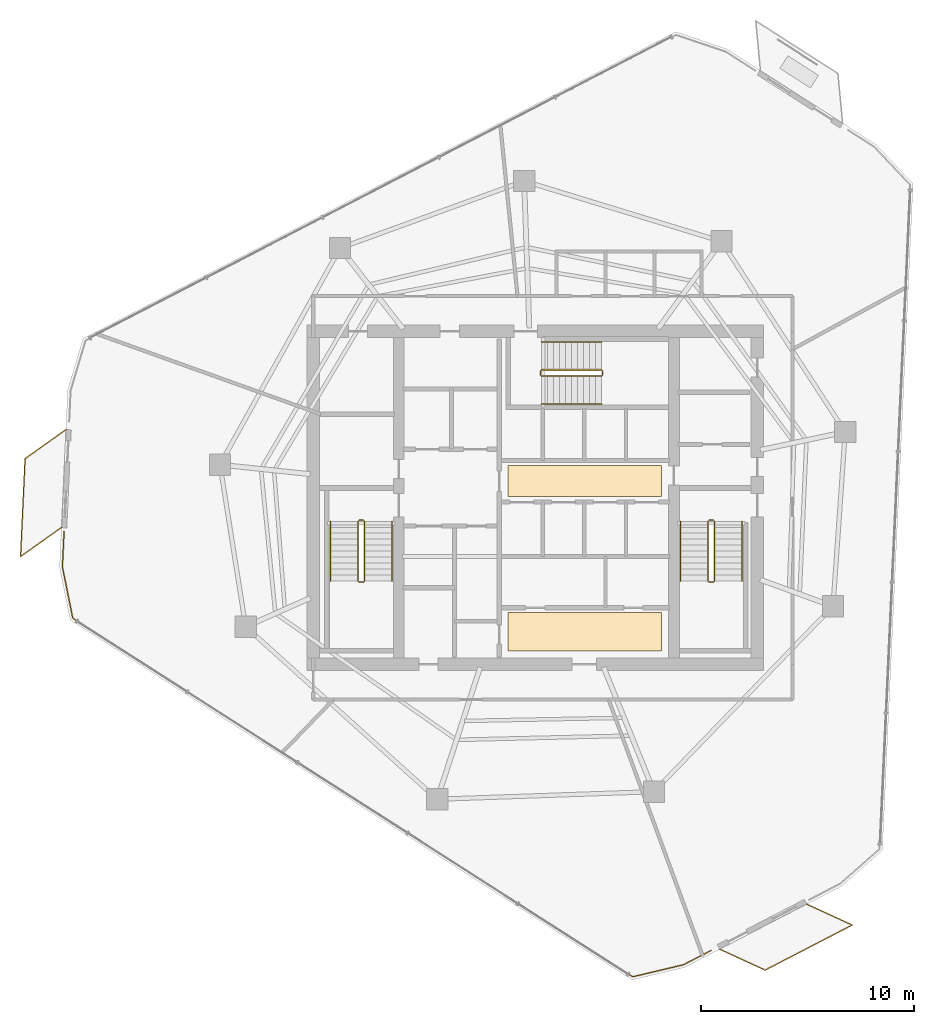
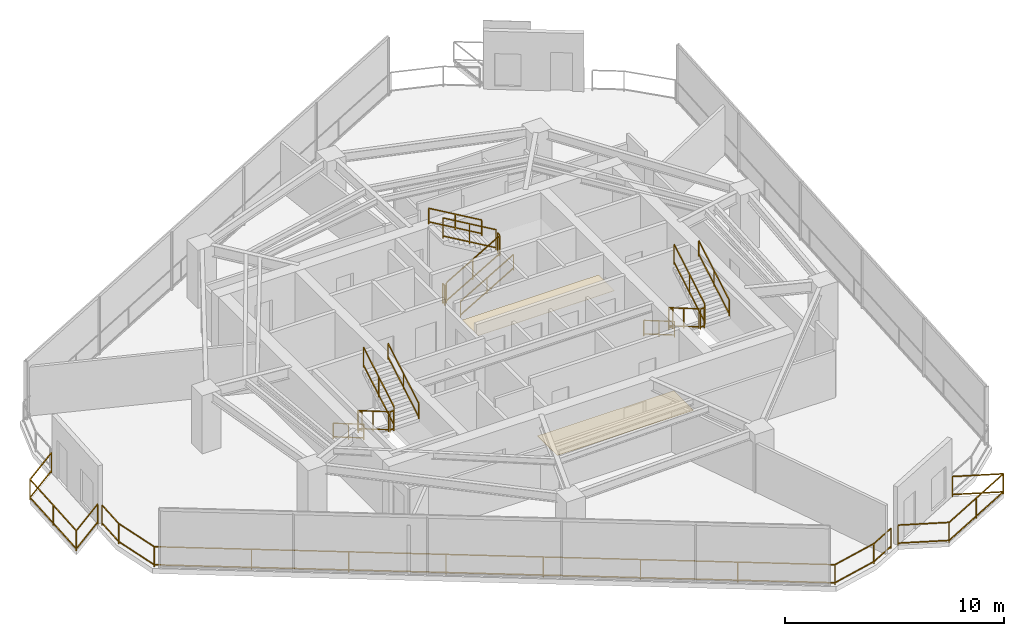
# One storey, part 19 of 20: 21 railings, 2 coverings.
"""IFC4 building model written with IfcOpenShell, lengths in metres."""

from ifc_helpers import new_model, si_unit, direction, frame, origin, origin_2d, place, context, subcontext, project, spatial, rectangle, extrude, material, layer, layer_set, type_object, element, save


model = new_model("IFC4")

# Units and contexts
model_context = context("Model", 3, precision=1e-05, world=origin(), true_north=direction((0.0, 1.0)))
body_context = subcontext(model_context, "Body", "Model", "MODEL_VIEW")
ifc_project = project(units=[si_unit("LENGTHUNIT", "METRE"), si_unit("AREAUNIT", "SQUARE_METRE"), si_unit("VOLUMEUNIT", "CUBIC_METRE"), si_unit("PLANEANGLEUNIT", "RADIAN"), si_unit("MASSUNIT", "GRAM", prefix="KILO")], contexts=[model_context])

# Site, building, storey
site_placement = place(None, origin())
site = spatial("IfcSite", under=ifc_project, at=site_placement, CompositionType="ELEMENT")
building_placement = place(site_placement, origin())
building = spatial("IfcBuilding", under=site, at=building_placement, Name="Qarnah Convention Tower", CompositionType="ELEMENT")
storey_placement = place(building_placement, frame((0.0, 0.0, 168.89990234375)))
storey = spatial("IfcBuildingStorey", under=building, at=storey_placement, Name="L45", CompositionType="ELEMENT", Elevation=168.89990234375)

# Coverings
ifc_material_1 = material(Name="Mineral fibre acoustic ceiling")
ifc_layer_1 = layer(ifc_material_1, 0.02001953125)
ifc_layer_set_1 = layer_set([ifc_layer_1], Name="Mineral fibre acoustic ceiling")
covering_type_1 = type_object("IfcCoveringType", Name="COV-CEIL-20", PredefinedType="CEILING", material=ifc_layer_set_1)
covering_1_placement = place(storey_placement, frame((39.52001953125, 27.179931640625, 2.2900390625), z_axis=(0.0, 0.0, 1.0), x_axis=(1.0, 0.0, 0.0)))
element("IfcCovering", 1, at=covering_1_placement, inside=storey, type_object=covering_type_1, Name="L45 lift lobby acoustic ceiling", PredefinedType="CEILING", context=body_context, shape_type="SweptSolid", body=[
    extrude(rectangle(XDim=7.199951171875, YDim=1.449951171875, at=origin_2d()), origin(), (0.0, 0.0, 1.0), 0.02001953125),
])
ifc_material_2 = material(Name="Porcelain stone floor tile", Category="masonry")
ifc_layer_2 = layer(ifc_material_2, 0.02001953125)
ifc_layer_set_2 = layer_set([ifc_layer_2], Name="Porcelain stone floor tile")
covering_type_2 = type_object("IfcCoveringType", Name="COV-FLOOR-20", PredefinedType="FLOORING", material=ifc_layer_set_2)
covering_2_placement = place(storey_placement, frame((39.52001953125, 20.1201171875, 0.0), z_axis=(0.0, 0.0, 1.0), x_axis=(1.0, 0.0, 0.0)))
element("IfcCovering", 2, at=covering_2_placement, inside=storey, type_object=covering_type_2, Name="L45 lift lobby porcelain stone flooring", PredefinedType="FLOORING", context=body_context, shape_type="SweptSolid", body=[
    extrude(rectangle(XDim=7.199951171875, YDim=1.800048828125, at=origin_2d()), origin(), (0.0, 0.0, 1.0), 0.02001953125),
])

# Railings
ifc_material_3 = material(Name="Black anodised aluminium", Category="aluminium")
railing_type_1 = type_object("IfcRailingType", Name="RL-EXT-GUARD-1150", PredefinedType="GUARDRAIL", material=ifc_material_3)
railing_1_placement = place(storey_placement, frame((45.43798828125, 5.18994140625, 0.0)))
element("IfcRailing", 3, at=railing_1_placement, inside=storey, type_object=railing_type_1, Name="L45 slab-edge perimeter safety guard 03", PredefinedType="GUARDRAIL", context=body_context, shape_type="SweptSolid", body=[
    extrude(rectangle(XDim=0.048095703125, YDim=0.048095703125, at=origin_2d()), frame((0.0, 0.0, 1.1259765625), z_axis=(-0.888018917367, -0.459806918606, 0.0), x_axis=(0.459806918606, -0.888018917367, 0.0)), (0.0, 0.0, 1.0), 1.45263671875),
    extrude(rectangle(XDim=0.048095703125, YDim=0.048095703125, at=origin_2d()), frame((0.0, 0.0, 0.1201171875), z_axis=(-0.888018917367, -0.459806918606, 0.0), x_axis=(0.459806918606, -0.888018917367, 0.0)), (0.0, 0.0, 1.0), 1.45263671875),
    extrude(rectangle(XDim=0.048095703125, YDim=0.048095703125, at=origin_2d()), frame((-1.2900390625, -0.66796875, 1.1259765625), z_axis=(-0.972962350077, -0.230963774936, 0.0), x_axis=(0.230963774936, -0.972962350077, 0.0)), (0.0, 0.0, 1.0), 2.446044921875),
    extrude(rectangle(XDim=0.048095703125, YDim=0.048095703125, at=origin_2d()), frame((-1.2900390625, -0.66796875, 0.1201171875), z_axis=(-0.972962350077, -0.230963774936, 0.0), x_axis=(0.230963774936, -0.972962350077, 0.0)), (0.0, 0.0, 1.0), 2.446044921875),
    extrude(rectangle(XDim=0.048095703125, YDim=0.048095703125, at=origin_2d()), frame((-3.669921875, -1.23291015625, 1.1259765625), z_axis=(-0.842064572304, 0.539376729263, 0.0), x_axis=(-0.539376729263, -0.842064572304, 0.0)), (0.0, 0.0, 1.0), 31.157958984375),
    extrude(rectangle(XDim=0.048095703125, YDim=0.048095703125, at=origin_2d()), frame((-3.669921875, -1.23291015625, 0.1201171875), z_axis=(-0.842064572304, 0.539376729263, 0.0), x_axis=(-0.539376729263, -0.842064572304, 0.0)), (0.0, 0.0, 1.0), 31.157958984375),
    extrude(rectangle(XDim=0.048095703125, YDim=0.048095703125, at=origin_2d()), frame((-29.906982421875, 15.572998046875, 1.1259765625), z_axis=(-0.197037430045, 0.980395966516, 0.0), x_axis=(-0.980395966516, -0.197037430045, 0.0)), (0.0, 0.0, 1.0), 2.44580078125),
    extrude(rectangle(XDim=0.048095703125, YDim=0.048095703125, at=origin_2d()), frame((-29.906982421875, 15.572998046875, 0.1201171875), z_axis=(-0.197037430045, 0.980395966516, 0.0), x_axis=(-0.980395966516, -0.197037430045, 0.0)), (0.0, 0.0, 1.0), 2.44580078125),
    extrude(rectangle(XDim=0.048095703125, YDim=0.048095703125, at=origin_2d()), frame((-30.388916015625, 17.970947265625, 1.1259765625), z_axis=(0.045633961362, 0.998958228141, 0.0), x_axis=(-0.998958228141, 0.045633961362, 0.0)), (0.0, 0.0, 1.0), 1.663818359375),
    extrude(rectangle(XDim=0.048095703125, YDim=0.048095703125, at=origin_2d()), frame((-30.388916015625, 17.970947265625, 0.1201171875), z_axis=(0.045633961362, 0.998958228141, 0.0), x_axis=(-0.998958228141, 0.045633961362, 0.0)), (0.0, 0.0, 1.0), 1.663818359375),
    extrude(rectangle(XDim=0.0419921875, YDim=0.0419921875, at=origin_2d()), origin(), (0.0, 0.0, 1.0), 1.101806640625),
    extrude(rectangle(XDim=0.0419921875, YDim=0.0419921875, at=origin_2d()), frame((-1.2900390625, -0.66796875, 0.0)), (0.0, 0.0, 1.0), 1.101806640625),
    extrude(rectangle(XDim=0.0419921875, YDim=0.0419921875, at=origin_2d()), frame((-3.669921875, -1.23291015625, 0.0)), (0.0, 0.0, 1.0), 1.101806640625),
    extrude(rectangle(XDim=0.0419921875, YDim=0.0419921875, at=origin_2d()), frame((-7.41796875, 1.16796875, 0.0)), (0.0, 0.0, 1.0), 1.101806640625),
    extrude(rectangle(XDim=0.0419921875, YDim=0.0419921875, at=origin_2d()), frame((-11.166259765625, 3.56884765625, 0.0)), (0.0, 0.0, 1.0), 1.101806640625),
    extrude(rectangle(XDim=0.0419921875, YDim=0.0419921875, at=origin_2d()), frame((-14.914306640625, 5.9697265625, 0.0)), (0.0, 0.0, 1.0), 1.101806640625),
    extrude(rectangle(XDim=0.0419921875, YDim=0.0419921875, at=origin_2d()), frame((-18.66259765625, 8.370361328125, 0.0)), (0.0, 0.0, 1.0), 1.101806640625),
    extrude(rectangle(XDim=0.0419921875, YDim=0.0419921875, at=origin_2d()), frame((-22.41064453125, 10.771240234375, 0.0)), (0.0, 0.0, 1.0), 1.101806640625),
    extrude(rectangle(XDim=0.0419921875, YDim=0.0419921875, at=origin_2d()), frame((-26.158935546875, 13.172119140625, 0.0)), (0.0, 0.0, 1.0), 1.101806640625),
    extrude(rectangle(XDim=0.0419921875, YDim=0.0419921875, at=origin_2d()), frame((-29.906982421875, 15.572998046875, 0.0)), (0.0, 0.0, 1.0), 1.101806640625),
    extrude(rectangle(XDim=0.0419921875, YDim=0.0419921875, at=origin_2d()), frame((-30.388916015625, 17.970947265625, 0.0)), (0.0, 0.0, 1.0), 1.101806640625),
    extrude(rectangle(XDim=0.0419921875, YDim=0.0419921875, at=origin_2d()), frame((-30.31298828125, 19.633056640625, 0.0)), (0.0, 0.0, 1.0), 1.101806640625),
])
railing_2_placement = place(storey_placement, frame((14.998046875, 25.001953125, 0.0)))
element("IfcRailing", 4, at=railing_2_placement, inside=storey, type_object=railing_type_1, Name="L45 balcony safety guard BAL-L45-C2", PredefinedType="GUARDRAIL", context=body_context, shape_type="SweptSolid", body=[
    extrude(rectangle(XDim=0.048095703125, YDim=0.048095703125, at=origin_2d()), frame((0.0, 0.0, 1.1259765625), z_axis=(-0.81540262217, -0.578894259566, 0.0), x_axis=(0.578894259566, -0.81540262217, 0.0)), (0.0, 0.0, 1.0), 2.347412109375),
    extrude(rectangle(XDim=0.048095703125, YDim=0.048095703125, at=origin_2d()), frame((0.0, 0.0, 0.1201171875), z_axis=(-0.81540262217, -0.578894259566, 0.0), x_axis=(0.578894259566, -0.81540262217, 0.0)), (0.0, 0.0, 1.0), 2.347412109375),
    extrude(rectangle(XDim=0.048095703125, YDim=0.048095703125, at=origin_2d()), frame((-1.9140625, -1.35888671875, 1.1259765625), z_axis=(0.046069729581, 0.998938226326, 0.0), x_axis=(-0.998938226326, 0.046069729581, 0.0)), (0.0, 0.0, 1.0), 4.599853515625),
    extrude(rectangle(XDim=0.048095703125, YDim=0.048095703125, at=origin_2d()), frame((-1.9140625, -1.35888671875, 0.1201171875), z_axis=(0.046069729581, 0.998938226326, 0.0), x_axis=(-0.998938226326, 0.046069729581, 0.0)), (0.0, 0.0, 1.0), 4.599853515625),
    extrude(rectangle(XDim=0.048095703125, YDim=0.048095703125, at=origin_2d()), frame((-1.7021484375, 3.236083984375, 1.1259765625), z_axis=(0.81540262217, 0.578894259566, 0.0), x_axis=(-0.578894259566, 0.81540262217, 0.0)), (0.0, 0.0, 1.0), 2.347412109375),
    extrude(rectangle(XDim=0.048095703125, YDim=0.048095703125, at=origin_2d()), frame((-1.7021484375, 3.236083984375, 0.1201171875), z_axis=(0.81540262217, 0.578894259566, 0.0), x_axis=(-0.578894259566, 0.81540262217, 0.0)), (0.0, 0.0, 1.0), 2.347412109375),
    extrude(rectangle(XDim=0.0419921875, YDim=0.0419921875, at=origin_2d()), origin(), (0.0, 0.0, 1.0), 1.101806640625),
    extrude(rectangle(XDim=0.0419921875, YDim=0.0419921875, at=origin_2d()), frame((-1.9140625, -1.35888671875, 0.0)), (0.0, 0.0, 1.0), 1.101806640625),
    extrude(rectangle(XDim=0.0419921875, YDim=0.0419921875, at=origin_2d()), frame((-1.80810546875, 0.9384765625, 0.0)), (0.0, 0.0, 1.0), 1.101806640625),
    extrude(rectangle(XDim=0.0419921875, YDim=0.0419921875, at=origin_2d()), frame((-1.7021484375, 3.236083984375, 0.0)), (0.0, 0.0, 1.0), 1.101806640625),
    extrude(rectangle(XDim=0.0419921875, YDim=0.0419921875, at=origin_2d()), frame((0.2119140625, 4.594970703125, 0.0)), (0.0, 0.0, 1.0), 1.101806640625),
])
railing_3_placement = place(storey_placement, frame((49.927001953125, 7.361083984375, 0.0)))
element("IfcRailing", 5, at=railing_3_placement, inside=storey, type_object=railing_type_1, Name="L45 balcony safety guard BAL-L45-C3", PredefinedType="GUARDRAIL", context=body_context, shape_type="SweptSolid", body=[
    extrude(rectangle(XDim=0.048095703125, YDim=0.048095703125, at=origin_2d()), frame((0.0, 0.0, 1.1259765625), z_axis=(0.908846354867, -0.417131038459, 0.0), x_axis=(0.417131038459, 0.908846354867, 0.0)), (0.0, 0.0, 1.0), 2.346923828125),
    extrude(rectangle(XDim=0.048095703125, YDim=0.048095703125, at=origin_2d()), frame((0.0, 0.0, 0.1201171875), z_axis=(0.908846354867, -0.417131038459, 0.0), x_axis=(0.417131038459, 0.908846354867, 0.0)), (0.0, 0.0, 1.0), 2.346923828125),
    extrude(rectangle(XDim=0.048095703125, YDim=0.048095703125, at=origin_2d()), frame((2.133056640625, -0.97900390625, 1.1259765625), z_axis=(-0.888119780176, -0.459612071273, 0.0), x_axis=(0.459612071273, -0.888119780176, 0.0)), (0.0, 0.0, 1.0), 4.599609375),
    extrude(rectangle(XDim=0.048095703125, YDim=0.048095703125, at=origin_2d()), frame((2.133056640625, -0.97900390625, 0.1201171875), z_axis=(-0.888119780176, -0.459612071273, 0.0), x_axis=(0.459612071273, -0.888119780176, 0.0)), (0.0, 0.0, 1.0), 4.599609375),
    extrude(rectangle(XDim=0.048095703125, YDim=0.048095703125, at=origin_2d()), frame((-1.951904296875, -3.093017578125, 1.1259765625), z_axis=(-0.908918712913, 0.416973348448, 0.0), x_axis=(-0.416973348448, -0.908918712913, 0.0)), (0.0, 0.0, 1.0), 2.347900390625),
    extrude(rectangle(XDim=0.048095703125, YDim=0.048095703125, at=origin_2d()), frame((-1.951904296875, -3.093017578125, 0.1201171875), z_axis=(-0.908918712913, 0.416973348448, 0.0), x_axis=(-0.416973348448, -0.908918712913, 0.0)), (0.0, 0.0, 1.0), 2.347900390625),
    extrude(rectangle(XDim=0.0419921875, YDim=0.0419921875, at=origin_2d()), origin(), (0.0, 0.0, 1.0), 1.101806640625),
    extrude(rectangle(XDim=0.0419921875, YDim=0.0419921875, at=origin_2d()), frame((2.133056640625, -0.97900390625, 0.0)), (0.0, 0.0, 1.0), 1.101806640625),
    extrude(rectangle(XDim=0.0419921875, YDim=0.0419921875, at=origin_2d()), frame((0.090576171875, -2.0361328125, 0.0)), (0.0, 0.0, 1.0), 1.101806640625),
    extrude(rectangle(XDim=0.0419921875, YDim=0.0419921875, at=origin_2d()), frame((-1.951904296875, -3.093017578125, 0.0)), (0.0, 0.0, 1.0), 1.101806640625),
    extrude(rectangle(XDim=0.0419921875, YDim=0.0419921875, at=origin_2d()), frame((-4.0859375, -2.114013671875, 0.0)), (0.0, 0.0, 1.0), 1.101806640625),
])
ifc_material_4 = material(Name="Structural steel S355JR", Category="steel")
railing_type_2 = type_object("IfcRailingType", Name="RL-STAIR-GUARD-1150", PredefinedType="GUARDRAIL", material=ifc_material_4)
railing_4_placement = place(storey_placement, frame((28.89990234375, 25.300048828125, 0.163818359375)))
element("IfcRailing", 6, at=railing_4_placement, inside=storey, type_object=railing_type_2, Name="L45 ST-1 stair guard 1", PredefinedType="GUARDRAIL", context=body_context, shape_type="SweptSolid", body=[
    extrude(rectangle(XDim=0.048095703125, YDim=0.048095703125, at=origin_2d()), frame((0.0, 0.0, 1.1259765625), z_axis=(0.0, -0.863393664356, 0.504530851732), x_axis=(1.0, 0.0, 0.0)), (0.0, 0.0, 1.0), 3.2431640625),
    extrude(rectangle(XDim=0.048095703125, YDim=0.048095703125, at=origin_2d()), frame((0.0, 0.0, 0.1201171875), z_axis=(0.0, -0.863393664356, 0.504530851732), x_axis=(1.0, 0.0, 0.0)), (0.0, 0.0, 1.0), 3.2431640625),
    extrude(rectangle(XDim=0.0419921875, YDim=0.0419921875, at=origin_2d()), origin(), (0.0, 0.0, 1.0), 1.101806640625),
    extrude(rectangle(XDim=0.0419921875, YDim=0.0419921875, at=origin_2d()), frame((0.0, -1.39990234375, 0.818115234375)), (0.0, 0.0, 1.0), 1.101806640625),
    extrude(rectangle(XDim=0.0419921875, YDim=0.0419921875, at=origin_2d()), frame((0.0, -2.800048828125, 1.63623046875)), (0.0, 0.0, 1.0), 1.101806640625),
])
railing_5_placement = place(storey_placement, frame((28.949951171875, 22.449951171875, 1.800048828125)))
element("IfcRailing", 7, at=railing_5_placement, inside=storey, type_object=railing_type_2, Name="L45 ST-1 stair guard 2", PredefinedType="GUARDRAIL", context=body_context, shape_type="SweptSolid", body=[
    extrude(rectangle(XDim=0.048095703125, YDim=0.048095703125, at=origin_2d()), frame((0.0, 0.0, 1.1259765625), z_axis=(1.0, 0.0, 0.0), x_axis=(0.0, 1.0, 0.0)), (0.0, 0.0, 1.0), 0.199951171875),
    extrude(rectangle(XDim=0.048095703125, YDim=0.048095703125, at=origin_2d()), frame((0.0, 0.0, 0.1201171875), z_axis=(1.0, 0.0, 0.0), x_axis=(0.0, 1.0, 0.0)), (0.0, 0.0, 1.0), 0.199951171875),
    extrude(rectangle(XDim=0.0419921875, YDim=0.0419921875, at=origin_2d()), origin(), (0.0, 0.0, 1.0), 1.101806640625),
    extrude(rectangle(XDim=0.0419921875, YDim=0.0419921875, at=origin_2d()), frame((0.199951171875, 0.0, 0.0)), (0.0, 0.0, 1.0), 1.101806640625),
])
railing_6_placement = place(storey_placement, frame((29.199951171875, 22.5, 1.963623046875)))
element("IfcRailing", 8, at=railing_6_placement, inside=storey, type_object=railing_type_2, Name="L45 ST-1 stair guard 3", PredefinedType="GUARDRAIL", context=body_context, shape_type="SweptSolid", body=[
    extrude(rectangle(XDim=0.048095703125, YDim=0.048095703125, at=origin_2d()), frame((0.0, 0.0, 1.1259765625), z_axis=(0.0, 0.863360870873, 0.504586966384), x_axis=(-1.0, 0.0, 0.0)), (0.0, 0.0, 1.0), 3.2431640625),
    extrude(rectangle(XDim=0.048095703125, YDim=0.048095703125, at=origin_2d()), frame((0.0, 0.0, 0.1201171875), z_axis=(0.0, 0.863360870873, 0.504586966384), x_axis=(-1.0, 0.0, 0.0)), (0.0, 0.0, 1.0), 3.2431640625),
    extrude(rectangle(XDim=0.0419921875, YDim=0.0419921875, at=origin_2d()), origin(), (0.0, 0.0, 1.0), 1.101806640625),
    extrude(rectangle(XDim=0.0419921875, YDim=0.0419921875, at=origin_2d()), frame((0.0, 1.39990234375, 0.818359375)), (0.0, 0.0, 1.0), 1.101806640625),
    extrude(rectangle(XDim=0.0419921875, YDim=0.0419921875, at=origin_2d()), frame((0.0, 2.800048828125, 1.636474609375)), (0.0, 0.0, 1.0), 1.101806640625),
])
railing_7_placement = place(storey_placement, frame((28.949951171875, 25.35009765625, 0.0)))
element("IfcRailing", 9, at=railing_7_placement, inside=storey, type_object=railing_type_2, Name="L45 ST-1 stair guard 4", PredefinedType="GUARDRAIL", context=body_context, shape_type="SweptSolid", body=[
    extrude(rectangle(XDim=0.048095703125, YDim=0.048095703125, at=origin_2d()), frame((0.0, 0.0, 1.1259765625), z_axis=(1.0, 0.0, 0.0), x_axis=(0.0, 1.0, 0.0)), (0.0, 0.0, 1.0), 0.199951171875),
    extrude(rectangle(XDim=0.048095703125, YDim=0.048095703125, at=origin_2d()), frame((0.0, 0.0, 0.1201171875), z_axis=(1.0, 0.0, 0.0), x_axis=(0.0, 1.0, 0.0)), (0.0, 0.0, 1.0), 0.199951171875),
    extrude(rectangle(XDim=0.0419921875, YDim=0.0419921875, at=origin_2d()), origin(), (0.0, 0.0, 1.0), 1.101806640625),
    extrude(rectangle(XDim=0.0419921875, YDim=0.0419921875, at=origin_2d()), frame((0.199951171875, 0.0, 0.0)), (0.0, 0.0, 1.0), 1.101806640625),
])
railing_8_placement = place(storey_placement, frame((45.300048828125, 25.300048828125, 0.163818359375)))
element("IfcRailing", 10, at=railing_8_placement, inside=storey, type_object=railing_type_2, Name="L45 ST-2 stair guard 1", PredefinedType="GUARDRAIL", context=body_context, shape_type="SweptSolid", body=[
    extrude(rectangle(XDim=0.048095703125, YDim=0.048095703125, at=origin_2d()), frame((0.0, 0.0, 1.1259765625), z_axis=(0.0, -0.863393664356, 0.504530851732), x_axis=(1.0, 0.0, 0.0)), (0.0, 0.0, 1.0), 3.2431640625),
    extrude(rectangle(XDim=0.048095703125, YDim=0.048095703125, at=origin_2d()), frame((0.0, 0.0, 0.1201171875), z_axis=(0.0, -0.863393664356, 0.504530851732), x_axis=(1.0, 0.0, 0.0)), (0.0, 0.0, 1.0), 3.2431640625),
    extrude(rectangle(XDim=0.0419921875, YDim=0.0419921875, at=origin_2d()), origin(), (0.0, 0.0, 1.0), 1.101806640625),
    extrude(rectangle(XDim=0.0419921875, YDim=0.0419921875, at=origin_2d()), frame((0.0, -1.39990234375, 0.818115234375)), (0.0, 0.0, 1.0), 1.101806640625),
    extrude(rectangle(XDim=0.0419921875, YDim=0.0419921875, at=origin_2d()), frame((0.0, -2.800048828125, 1.63623046875)), (0.0, 0.0, 1.0), 1.101806640625),
])
railing_9_placement = place(storey_placement, frame((45.35009765625, 22.449951171875, 1.800048828125)))
element("IfcRailing", 11, at=railing_9_placement, inside=storey, type_object=railing_type_2, Name="L45 ST-2 stair guard 2", PredefinedType="GUARDRAIL", context=body_context, shape_type="SweptSolid", body=[
    extrude(rectangle(XDim=0.048095703125, YDim=0.048095703125, at=origin_2d()), frame((0.0, 0.0, 1.1259765625), z_axis=(1.0, 0.0, 0.0), x_axis=(0.0, 1.0, 0.0)), (0.0, 0.0, 1.0), 0.199951171875),
    extrude(rectangle(XDim=0.048095703125, YDim=0.048095703125, at=origin_2d()), frame((0.0, 0.0, 0.1201171875), z_axis=(1.0, 0.0, 0.0), x_axis=(0.0, 1.0, 0.0)), (0.0, 0.0, 1.0), 0.199951171875),
    extrude(rectangle(XDim=0.0419921875, YDim=0.0419921875, at=origin_2d()), origin(), (0.0, 0.0, 1.0), 1.101806640625),
    extrude(rectangle(XDim=0.0419921875, YDim=0.0419921875, at=origin_2d()), frame((0.199951171875, 0.0, 0.0)), (0.0, 0.0, 1.0), 1.101806640625),
])
railing_10_placement = place(storey_placement, frame((45.60009765625, 22.5, 1.963623046875)))
element("IfcRailing", 12, at=railing_10_placement, inside=storey, type_object=railing_type_2, Name="L45 ST-2 stair guard 3", PredefinedType="GUARDRAIL", context=body_context, shape_type="SweptSolid", body=[
    extrude(rectangle(XDim=0.048095703125, YDim=0.048095703125, at=origin_2d()), frame((0.0, 0.0, 1.1259765625), z_axis=(0.0, 0.863360870873, 0.504586966384), x_axis=(-1.0, 0.0, 0.0)), (0.0, 0.0, 1.0), 3.2431640625),
    extrude(rectangle(XDim=0.048095703125, YDim=0.048095703125, at=origin_2d()), frame((0.0, 0.0, 0.1201171875), z_axis=(0.0, 0.863360870873, 0.504586966384), x_axis=(-1.0, 0.0, 0.0)), (0.0, 0.0, 1.0), 3.2431640625),
    extrude(rectangle(XDim=0.0419921875, YDim=0.0419921875, at=origin_2d()), origin(), (0.0, 0.0, 1.0), 1.101806640625),
    extrude(rectangle(XDim=0.0419921875, YDim=0.0419921875, at=origin_2d()), frame((0.0, 1.39990234375, 0.818359375)), (0.0, 0.0, 1.0), 1.101806640625),
    extrude(rectangle(XDim=0.0419921875, YDim=0.0419921875, at=origin_2d()), frame((0.0, 2.800048828125, 1.636474609375)), (0.0, 0.0, 1.0), 1.101806640625),
])
railing_11_placement = place(storey_placement, frame((45.35009765625, 25.35009765625, 0.0)))
element("IfcRailing", 13, at=railing_11_placement, inside=storey, type_object=railing_type_2, Name="L45 ST-2 stair guard 4", PredefinedType="GUARDRAIL", context=body_context, shape_type="SweptSolid", body=[
    extrude(rectangle(XDim=0.048095703125, YDim=0.048095703125, at=origin_2d()), frame((0.0, 0.0, 1.1259765625), z_axis=(1.0, 0.0, 0.0), x_axis=(0.0, 1.0, 0.0)), (0.0, 0.0, 1.0), 0.199951171875),
    extrude(rectangle(XDim=0.048095703125, YDim=0.048095703125, at=origin_2d()), frame((0.0, 0.0, 0.1201171875), z_axis=(1.0, 0.0, 0.0), x_axis=(0.0, 1.0, 0.0)), (0.0, 0.0, 1.0), 0.199951171875),
    extrude(rectangle(XDim=0.0419921875, YDim=0.0419921875, at=origin_2d()), origin(), (0.0, 0.0, 1.0), 1.101806640625),
    extrude(rectangle(XDim=0.0419921875, YDim=0.0419921875, at=origin_2d()), frame((0.199951171875, 0.0, 0.0)), (0.0, 0.0, 1.0), 1.101806640625),
])
railing_12_placement = place(storey_placement, frame((37.5, 32.10009765625, 0.163818359375)))
element("IfcRailing", 14, at=railing_12_placement, inside=storey, type_object=railing_type_2, Name="L45 ST-3 stair guard 1", PredefinedType="GUARDRAIL", context=body_context, shape_type="SweptSolid", body=[
    extrude(rectangle(XDim=0.048095703125, YDim=0.048095703125, at=origin_2d()), frame((0.0, 0.0, 1.1259765625), z_axis=(0.863393664356, 0.0, 0.504530851732), x_axis=(0.0, 1.0, 0.0)), (0.0, 0.0, 1.0), 3.2431640625),
    extrude(rectangle(XDim=0.048095703125, YDim=0.048095703125, at=origin_2d()), frame((0.0, 0.0, 0.1201171875), z_axis=(0.863393664356, 0.0, 0.504530851732), x_axis=(0.0, 1.0, 0.0)), (0.0, 0.0, 1.0), 3.2431640625),
    extrude(rectangle(XDim=0.0419921875, YDim=0.0419921875, at=origin_2d()), origin(), (0.0, 0.0, 1.0), 1.101806640625),
    extrude(rectangle(XDim=0.0419921875, YDim=0.0419921875, at=origin_2d()), frame((1.39990234375, 0.0, 0.818115234375)), (0.0, 0.0, 1.0), 1.101806640625),
    extrude(rectangle(XDim=0.0419921875, YDim=0.0419921875, at=origin_2d()), frame((2.800048828125, 0.0, 1.63623046875)), (0.0, 0.0, 1.0), 1.101806640625),
])
railing_13_placement = place(storey_placement, frame((40.35009765625, 32.14990234375, 1.800048828125)))
element("IfcRailing", 15, at=railing_13_placement, inside=storey, type_object=railing_type_2, Name="L45 ST-3 stair guard 2", PredefinedType="GUARDRAIL", context=body_context, shape_type="SweptSolid", body=[
    extrude(rectangle(XDim=0.048095703125, YDim=0.048095703125, at=origin_2d()), frame((0.0, 0.0, 1.1259765625), z_axis=(0.0, 1.0, 0.0), x_axis=(-1.0, 0.0, 0.0)), (0.0, 0.0, 1.0), 0.2001953125),
    extrude(rectangle(XDim=0.048095703125, YDim=0.048095703125, at=origin_2d()), frame((0.0, 0.0, 0.1201171875), z_axis=(0.0, 1.0, 0.0), x_axis=(-1.0, 0.0, 0.0)), (0.0, 0.0, 1.0), 0.2001953125),
    extrude(rectangle(XDim=0.0419921875, YDim=0.0419921875, at=origin_2d()), origin(), (0.0, 0.0, 1.0), 1.101806640625),
    extrude(rectangle(XDim=0.0419921875, YDim=0.0419921875, at=origin_2d()), frame((0.0, 0.2001953125, 0.0)), (0.0, 0.0, 1.0), 1.101806640625),
])
railing_14_placement = place(storey_placement, frame((40.300048828125, 32.39990234375, 1.963623046875)))
element("IfcRailing", 16, at=railing_14_placement, inside=storey, type_object=railing_type_2, Name="L45 ST-3 stair guard 3", PredefinedType="GUARDRAIL", context=body_context, shape_type="SweptSolid", body=[
    extrude(rectangle(XDim=0.048095703125, YDim=0.048095703125, at=origin_2d()), frame((0.0, 0.0, 1.1259765625), z_axis=(-0.863360870873, 0.0, 0.504586966384), x_axis=(0.0, -1.0, 0.0)), (0.0, 0.0, 1.0), 3.2431640625),
    extrude(rectangle(XDim=0.048095703125, YDim=0.048095703125, at=origin_2d()), frame((0.0, 0.0, 0.1201171875), z_axis=(-0.863360870873, 0.0, 0.504586966384), x_axis=(0.0, -1.0, 0.0)), (0.0, 0.0, 1.0), 3.2431640625),
    extrude(rectangle(XDim=0.0419921875, YDim=0.0419921875, at=origin_2d()), origin(), (0.0, 0.0, 1.0), 1.101806640625),
    extrude(rectangle(XDim=0.0419921875, YDim=0.0419921875, at=origin_2d()), frame((-1.39990234375, 0.0, 0.818359375)), (0.0, 0.0, 1.0), 1.101806640625),
    extrude(rectangle(XDim=0.0419921875, YDim=0.0419921875, at=origin_2d()), frame((-2.800048828125, 0.0, 1.636474609375)), (0.0, 0.0, 1.0), 1.101806640625),
])
railing_15_placement = place(storey_placement, frame((37.449951171875, 32.14990234375, 0.0)))
element("IfcRailing", 17, at=railing_15_placement, inside=storey, type_object=railing_type_2, Name="L45 ST-3 stair guard 4", PredefinedType="GUARDRAIL", context=body_context, shape_type="SweptSolid", body=[
    extrude(rectangle(XDim=0.048095703125, YDim=0.048095703125, at=origin_2d()), frame((0.0, 0.0, 1.1259765625), z_axis=(0.0, 1.0, 0.0), x_axis=(-1.0, 0.0, 0.0)), (0.0, 0.0, 1.0), 0.2001953125),
    extrude(rectangle(XDim=0.048095703125, YDim=0.048095703125, at=origin_2d()), frame((0.0, 0.0, 0.1201171875), z_axis=(0.0, 1.0, 0.0), x_axis=(-1.0, 0.0, 0.0)), (0.0, 0.0, 1.0), 0.2001953125),
    extrude(rectangle(XDim=0.0419921875, YDim=0.0419921875, at=origin_2d()), origin(), (0.0, 0.0, 1.0), 1.101806640625),
    extrude(rectangle(XDim=0.0419921875, YDim=0.0419921875, at=origin_2d()), frame((0.0, 0.2001953125, 0.0)), (0.0, 0.0, 1.0), 1.101806640625),
])
railing_type_3 = type_object("IfcRailingType", Name="RL-STAIR-HAND-900", PredefinedType="HANDRAIL", material=ifc_material_4)
railing_16_placement = place(storey_placement, frame((27.60009765625, 25.300048828125, 0.163818359375)))
element("IfcRailing", 18, at=railing_16_placement, inside=storey, type_object=railing_type_3, Name="L45 ST-1 stair handrail 1", PredefinedType="HANDRAIL", context=body_context, shape_type="SweptSolid", body=[
    extrude(rectangle(XDim=0.048095703125, YDim=0.048095703125, at=origin_2d()), frame((0.0, 0.0, 0.8759765625), z_axis=(0.0, -0.863393664356, 0.504530851732), x_axis=(1.0, 0.0, 0.0)), (0.0, 0.0, 1.0), 3.2431640625),
    extrude(rectangle(XDim=0.048095703125, YDim=0.048095703125, at=origin_2d()), frame((0.0, 0.0, 0.1201171875), z_axis=(0.0, -0.863393664356, 0.504530851732), x_axis=(1.0, 0.0, 0.0)), (0.0, 0.0, 1.0), 3.2431640625),
    extrude(rectangle(XDim=0.0419921875, YDim=0.0419921875, at=origin_2d()), origin(), (0.0, 0.0, 1.0), 0.851806640625),
    extrude(rectangle(XDim=0.0419921875, YDim=0.0419921875, at=origin_2d()), frame((0.0, -1.39990234375, 0.818115234375)), (0.0, 0.0, 1.0), 0.851806640625),
    extrude(rectangle(XDim=0.0419921875, YDim=0.0419921875, at=origin_2d()), frame((0.0, -2.800048828125, 1.63623046875)), (0.0, 0.0, 1.0), 0.851806640625),
])
railing_17_placement = place(storey_placement, frame((30.5, 22.5, 1.963623046875)))
element("IfcRailing", 19, at=railing_17_placement, inside=storey, type_object=railing_type_3, Name="L45 ST-1 stair handrail 2", PredefinedType="HANDRAIL", context=body_context, shape_type="SweptSolid", body=[
    extrude(rectangle(XDim=0.048095703125, YDim=0.048095703125, at=origin_2d()), frame((0.0, 0.0, 0.8759765625), z_axis=(0.0, 0.863360870873, 0.504586966384), x_axis=(-1.0, 0.0, 0.0)), (0.0, 0.0, 1.0), 3.2431640625),
    extrude(rectangle(XDim=0.048095703125, YDim=0.048095703125, at=origin_2d()), frame((0.0, 0.0, 0.1201171875), z_axis=(0.0, 0.863360870873, 0.504586966384), x_axis=(-1.0, 0.0, 0.0)), (0.0, 0.0, 1.0), 3.2431640625),
    extrude(rectangle(XDim=0.0419921875, YDim=0.0419921875, at=origin_2d()), origin(), (0.0, 0.0, 1.0), 0.851806640625),
    extrude(rectangle(XDim=0.0419921875, YDim=0.0419921875, at=origin_2d()), frame((0.0, 1.39990234375, 0.818359375)), (0.0, 0.0, 1.0), 0.851806640625),
    extrude(rectangle(XDim=0.0419921875, YDim=0.0419921875, at=origin_2d()), frame((0.0, 2.800048828125, 1.636474609375)), (0.0, 0.0, 1.0), 0.851806640625),
])
railing_18_placement = place(storey_placement, frame((44.0, 25.300048828125, 0.163818359375)))
element("IfcRailing", 20, at=railing_18_placement, inside=storey, type_object=railing_type_3, Name="L45 ST-2 stair handrail 1", PredefinedType="HANDRAIL", context=body_context, shape_type="SweptSolid", body=[
    extrude(rectangle(XDim=0.048095703125, YDim=0.048095703125, at=origin_2d()), frame((0.0, 0.0, 0.8759765625), z_axis=(0.0, -0.863393664356, 0.504530851732), x_axis=(1.0, 0.0, 0.0)), (0.0, 0.0, 1.0), 3.2431640625),
    extrude(rectangle(XDim=0.048095703125, YDim=0.048095703125, at=origin_2d()), frame((0.0, 0.0, 0.1201171875), z_axis=(0.0, -0.863393664356, 0.504530851732), x_axis=(1.0, 0.0, 0.0)), (0.0, 0.0, 1.0), 3.2431640625),
    extrude(rectangle(XDim=0.0419921875, YDim=0.0419921875, at=origin_2d()), origin(), (0.0, 0.0, 1.0), 0.851806640625),
    extrude(rectangle(XDim=0.0419921875, YDim=0.0419921875, at=origin_2d()), frame((0.0, -1.39990234375, 0.818115234375)), (0.0, 0.0, 1.0), 0.851806640625),
    extrude(rectangle(XDim=0.0419921875, YDim=0.0419921875, at=origin_2d()), frame((0.0, -2.800048828125, 1.63623046875)), (0.0, 0.0, 1.0), 0.851806640625),
])
railing_19_placement = place(storey_placement, frame((46.89990234375, 22.5, 1.963623046875)))
element("IfcRailing", 21, at=railing_19_placement, inside=storey, type_object=railing_type_3, Name="L45 ST-2 stair handrail 2", PredefinedType="HANDRAIL", context=body_context, shape_type="SweptSolid", body=[
    extrude(rectangle(XDim=0.048095703125, YDim=0.048095703125, at=origin_2d()), frame((0.0, 0.0, 0.8759765625), z_axis=(0.0, 0.863360870873, 0.504586966384), x_axis=(-1.0, 0.0, 0.0)), (0.0, 0.0, 1.0), 3.2431640625),
    extrude(rectangle(XDim=0.048095703125, YDim=0.048095703125, at=origin_2d()), frame((0.0, 0.0, 0.1201171875), z_axis=(0.0, 0.863360870873, 0.504586966384), x_axis=(-1.0, 0.0, 0.0)), (0.0, 0.0, 1.0), 3.2431640625),
    extrude(rectangle(XDim=0.0419921875, YDim=0.0419921875, at=origin_2d()), origin(), (0.0, 0.0, 1.0), 0.851806640625),
    extrude(rectangle(XDim=0.0419921875, YDim=0.0419921875, at=origin_2d()), frame((0.0, 1.39990234375, 0.818359375)), (0.0, 0.0, 1.0), 0.851806640625),
    extrude(rectangle(XDim=0.0419921875, YDim=0.0419921875, at=origin_2d()), frame((0.0, 2.800048828125, 1.636474609375)), (0.0, 0.0, 1.0), 0.851806640625),
])
railing_20_placement = place(storey_placement, frame((37.5, 30.800048828125, 0.163818359375)))
element("IfcRailing", 22, at=railing_20_placement, inside=storey, type_object=railing_type_3, Name="L45 ST-3 stair handrail 1", PredefinedType="HANDRAIL", context=body_context, shape_type="SweptSolid", body=[
    extrude(rectangle(XDim=0.048095703125, YDim=0.048095703125, at=origin_2d()), frame((0.0, 0.0, 0.8759765625), z_axis=(0.863393664356, 0.0, 0.504530851732), x_axis=(0.0, 1.0, 0.0)), (0.0, 0.0, 1.0), 3.2431640625),
    extrude(rectangle(XDim=0.048095703125, YDim=0.048095703125, at=origin_2d()), frame((0.0, 0.0, 0.1201171875), z_axis=(0.863393664356, 0.0, 0.504530851732), x_axis=(0.0, 1.0, 0.0)), (0.0, 0.0, 1.0), 3.2431640625),
    extrude(rectangle(XDim=0.0419921875, YDim=0.0419921875, at=origin_2d()), origin(), (0.0, 0.0, 1.0), 0.851806640625),
    extrude(rectangle(XDim=0.0419921875, YDim=0.0419921875, at=origin_2d()), frame((1.39990234375, 0.0, 0.818115234375)), (0.0, 0.0, 1.0), 0.851806640625),
    extrude(rectangle(XDim=0.0419921875, YDim=0.0419921875, at=origin_2d()), frame((2.800048828125, 0.0, 1.63623046875)), (0.0, 0.0, 1.0), 0.851806640625),
])
railing_21_placement = place(storey_placement, frame((40.300048828125, 33.699951171875, 1.963623046875)))
element("IfcRailing", 23, at=railing_21_placement, inside=storey, type_object=railing_type_3, Name="L45 ST-3 stair handrail 2", PredefinedType="HANDRAIL", context=body_context, shape_type="SweptSolid", body=[
    extrude(rectangle(XDim=0.048095703125, YDim=0.048095703125, at=origin_2d()), frame((0.0, 0.0, 0.8759765625), z_axis=(-0.863360870873, 0.0, 0.504586966384), x_axis=(0.0, -1.0, 0.0)), (0.0, 0.0, 1.0), 3.2431640625),
    extrude(rectangle(XDim=0.048095703125, YDim=0.048095703125, at=origin_2d()), frame((0.0, 0.0, 0.1201171875), z_axis=(-0.863360870873, 0.0, 0.504586966384), x_axis=(0.0, -1.0, 0.0)), (0.0, 0.0, 1.0), 3.2431640625),
    extrude(rectangle(XDim=0.0419921875, YDim=0.0419921875, at=origin_2d()), origin(), (0.0, 0.0, 1.0), 0.851806640625),
    extrude(rectangle(XDim=0.0419921875, YDim=0.0419921875, at=origin_2d()), frame((-1.39990234375, 0.0, 0.818359375)), (0.0, 0.0, 1.0), 0.851806640625),
    extrude(rectangle(XDim=0.0419921875, YDim=0.0419921875, at=origin_2d()), frame((-2.800048828125, 0.0, 1.636474609375)), (0.0, 0.0, 1.0), 0.851806640625),
])

save(model, "model.ifc")
